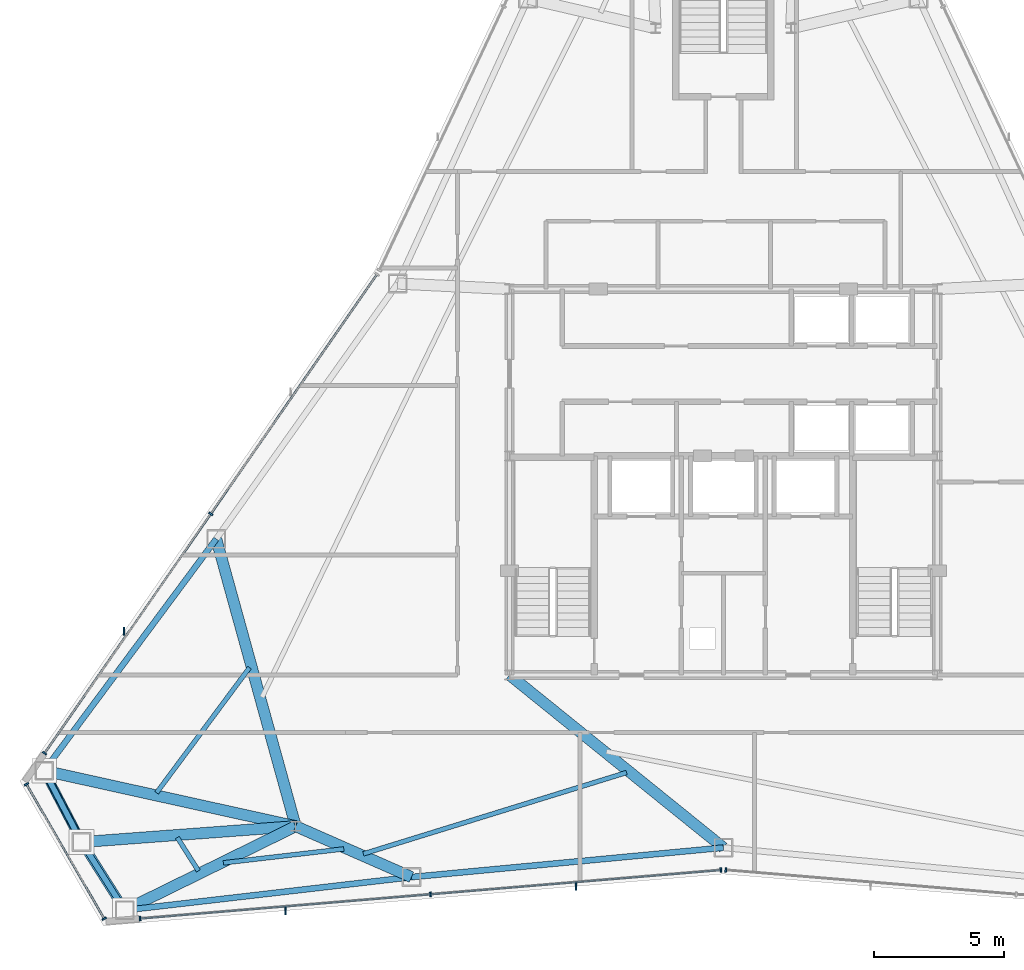
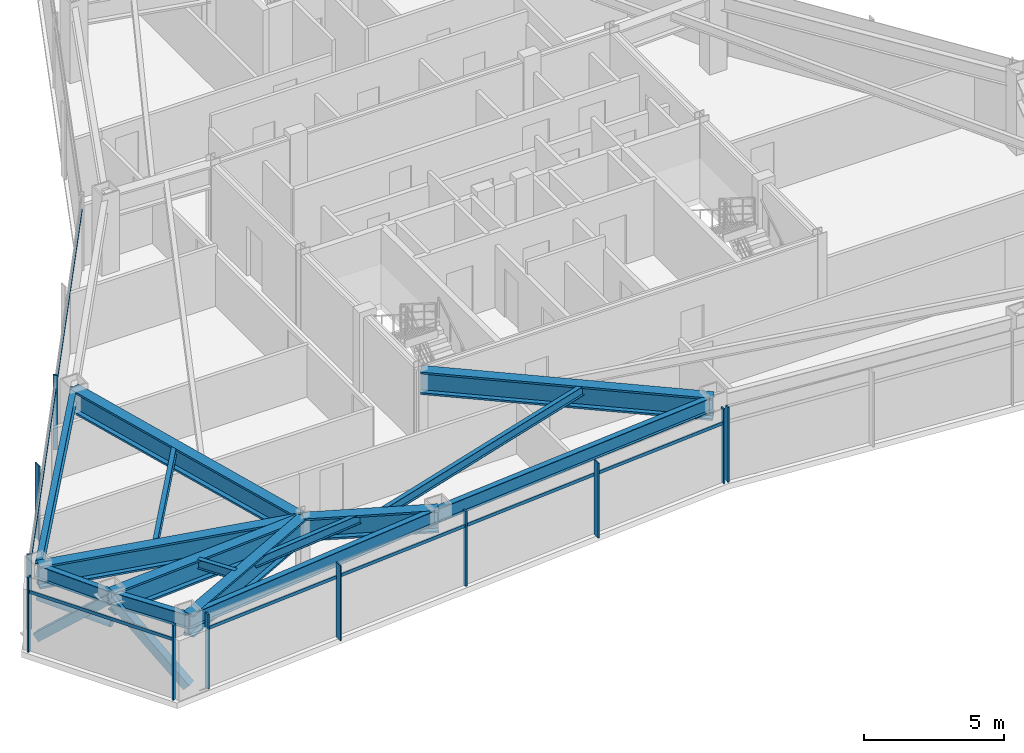
# One storey, part 3 of 12: 17 members, 15 beams, 4 elements without a shape of their own.
"""IFC4 building model written with IfcOpenShell, lengths in metres."""

from ifc_helpers import new_model, si_unit, direction, frame, origin, origin_2d, place, context, subcontext, project, spatial, rectangle, hollow_rectangle, hollow_circle, i_section, extrude, source, transform, mapped, material, layer, layer_set, material_profile, profile_set, type_object, type_shapes, element, aggregate, save


model = new_model("IFC4")

# Units and contexts
model_context = context("Model", 3, precision=1e-05, world=origin(), true_north=direction((0.0, 1.0)))
body_context = subcontext(model_context, "Body", "Model", "MODEL_VIEW")
ifc_project = project(units=[si_unit("LENGTHUNIT", "METRE"), si_unit("AREAUNIT", "SQUARE_METRE"), si_unit("VOLUMEUNIT", "CUBIC_METRE"), si_unit("PLANEANGLEUNIT", "RADIAN"), si_unit("MASSUNIT", "GRAM", prefix="KILO")], contexts=[model_context])

# Site, building, storey
site_placement = place(None, origin())
site = spatial("IfcSite", under=ifc_project, at=site_placement, CompositionType="ELEMENT")
building_placement = place(site_placement, origin())
building = spatial("IfcBuilding", under=site, at=building_placement, Name="Varakhsha Concourse Tower", CompositionType="ELEMENT")
storey_placement = place(building_placement, frame((0.0, 0.0, 232.89990234375)))
storey = spatial("IfcBuildingStorey", under=building, at=storey_placement, Name="L66", CompositionType="ELEMENT", Elevation=232.89990234375)

# Beams
ifc_material_1 = material(Name="Structural Steel ASTM A992 Grade 50", Category="steel")
ifc_material_profile_1 = material_profile(ifc_material_1, i_section(OverallWidth=0.177978515625, OverallDepth=0.406982421875, WebThickness=0.008056640625, FlangeThickness=0.012939453125, at=origin_2d()), Name="W16X40")
ifc_profile_set_1 = profile_set([ifc_material_profile_1], Name="Structural Steel ASTM A992 Grade 50")
beam_type_1 = type_object("IfcBeamType", Name="BM-JST-W16X40", PredefinedType="JOIST", material=ifc_profile_set_1)
beam_1_placement = place(storey_placement, frame((21.828369140625, 16.681640625, 3.046630859375), z_axis=(-0.596164609107, -0.802862229058, 0.0), x_axis=(0.802862229058, -0.596164609107, 0.0)))
element("IfcBeam", 1, at=beam_1_placement, inside=storey, type_object=beam_type_1, Name="BM-TJST-L66-06", PredefinedType="JOIST", context=body_context, shape_type="SweptSolid", body=[
    extrude(i_section(OverallWidth=0.177978515625, OverallDepth=0.406982421875, WebThickness=0.008056640625, FlangeThickness=0.012939453125, at=origin_2d()), origin(), (0.0, 0.0, 1.0), 5.97900390625),
])
beam_2_placement = place(storey_placement, frame((19.06103515625, 10.166259765625, 3.046630859375), z_axis=(0.534909949708, -0.844909075406, 0.0), x_axis=(0.844909075406, 0.534909949708, 0.0)))
element("IfcBeam", 2, at=beam_2_placement, inside=storey, type_object=beam_type_1, Name="BM-TJST-L66-08", PredefinedType="JOIST", context=body_context, shape_type="SweptSolid", body=[
    extrude(i_section(OverallWidth=0.177978515625, OverallDepth=0.406982421875, WebThickness=0.008056640625, FlangeThickness=0.012939453125, at=origin_2d()), origin(), (0.0, 0.0, 1.0), 1.51220703125),
])
beam_3_placement = place(storey_placement, frame((20.82470703125, 9.195068359375, 3.046630859375), z_axis=(0.993381548351, 0.114861217978, 0.0), x_axis=(-0.114861217978, 0.993381548351, 0.0)))
element("IfcBeam", 3, at=beam_3_placement, inside=storey, type_object=beam_type_1, Name="BM-TJST-L66-09", PredefinedType="JOIST", context=body_context, shape_type="SweptSolid", body=[
    extrude(i_section(OverallWidth=0.177978515625, OverallDepth=0.406982421875, WebThickness=0.008056640625, FlangeThickness=0.012939453125, at=origin_2d()), origin(), (0.0, 0.0, 1.0), 4.650634765625),
])
beam_4_placement = place(storey_placement, frame((26.19189453125, 9.540283203125, 3.046630859375), z_axis=(0.955439141439, 0.295188155261, 0.0), x_axis=(-0.295188155261, 0.955439141439, 0.0)))
element("IfcBeam", 4, at=beam_4_placement, inside=storey, type_object=beam_type_1, Name="BM-TJST-L66-10", PredefinedType="JOIST", context=body_context, shape_type="SweptSolid", body=[
    extrude(i_section(OverallWidth=0.177978515625, OverallDepth=0.406982421875, WebThickness=0.008056640625, FlangeThickness=0.012939453125, at=origin_2d()), origin(), (0.0, 0.0, 1.0), 10.565673828125),
])
ifc_material_profile_2 = material_profile(ifc_material_1, i_section(OverallWidth=0.22900390625, OverallDepth=0.612060546875, WebThickness=0.011962890625, FlangeThickness=0.02001953125, at=origin_2d()), Name="W24X84")
ifc_profile_set_2 = profile_set([ifc_material_profile_2], Name="Structural Steel ASTM A992 Grade 50")
beam_type_2 = type_object("IfcBeamType", Name="BM-SPAN-W24X84", PredefinedType="SPANDREL", material=ifc_profile_set_2)
beam_5_placement = place(storey_placement, frame((20.553466796875, 21.617919921875, 2.944091796875), z_axis=(-0.596178624109, -0.802851822042, 0.0), x_axis=(0.802851822042, -0.596178624109, 0.0)))
element("IfcBeam", 5, at=beam_5_placement, inside=storey, type_object=beam_type_2, Name="BM-SPAN-L66-06", PredefinedType="SPANDREL", context=body_context, shape_type="SweptSolid", body=[
    extrude(i_section(OverallWidth=0.22900390625, OverallDepth=0.612060546875, WebThickness=0.011962890625, FlangeThickness=0.02001953125, at=origin_2d()), origin(), (0.0, 0.0, 1.0), 11.06982421875),
])
beam_6_placement = place(storey_placement, frame((13.953857421875, 12.73046875, 2.944091796875), z_axis=(0.46430782769, -0.88567389097, 0.0), x_axis=(0.88567389097, 0.46430782769, 0.0)))
element("IfcBeam", 6, at=beam_6_placement, inside=storey, type_object=beam_type_2, Name="BM-SPAN-L66-07", PredefinedType="SPANDREL", context=body_context, shape_type="SweptSolid", body=[
    extrude(i_section(OverallWidth=0.22900390625, OverallDepth=0.612060546875, WebThickness=0.011962890625, FlangeThickness=0.02001953125, at=origin_2d()), origin(), (0.0, 0.0, 1.0), 3.0927734375),
])
beam_7_placement = place(storey_placement, frame((15.389892578125, 9.9912109375, 2.944091796875), z_axis=(0.534851104232, -0.844946327468, 0.0), x_axis=(0.844946327468, 0.534851104232, 0.0)))
element("IfcBeam", 7, at=beam_7_placement, inside=storey, type_object=beam_type_2, Name="BM-SPAN-L66-08", PredefinedType="SPANDREL", context=body_context, shape_type="SweptSolid", body=[
    extrude(i_section(OverallWidth=0.22900390625, OverallDepth=0.612060546875, WebThickness=0.011962890625, FlangeThickness=0.02001953125, at=origin_2d()), origin(), (0.0, 0.0, 1.0), 3.092529296875),
])
beam_8_placement = place(storey_placement, frame((17.0439453125, 7.378173828125, 2.944091796875), z_axis=(0.993379152974, 0.114881932593, 0.0), x_axis=(-0.114881932593, 0.993379152974, 0.0)))
element("IfcBeam", 8, at=beam_8_placement, inside=storey, type_object=beam_type_2, Name="BM-SPAN-L66-09", PredefinedType="SPANDREL", context=body_context, shape_type="SweptSolid", body=[
    extrude(i_section(OverallWidth=0.22900390625, OverallDepth=0.612060546875, WebThickness=0.011962890625, FlangeThickness=0.02001953125, at=origin_2d()), origin(), (0.0, 0.0, 1.0), 11.06982421875),
])
beam_9_placement = place(storey_placement, frame((28.04052734375, 8.64990234375, 2.944091796875), z_axis=(0.995582012356, 0.09389598859, 0.0), x_axis=(-0.09389598859, 0.995582012356, 0.0)))
element("IfcBeam", 9, at=beam_9_placement, inside=storey, type_object=beam_type_2, Name="BM-SPAN-L66-10", PredefinedType="SPANDREL", context=body_context, shape_type="SweptSolid", body=[
    extrude(i_section(OverallWidth=0.22900390625, OverallDepth=0.612060546875, WebThickness=0.011962890625, FlangeThickness=0.02001953125, at=origin_2d()), origin(), (0.0, 0.0, 1.0), 12.012451171875),
])
ifc_material_profile_3 = material_profile(ifc_material_1, i_section(OverallWidth=0.427978515625, OverallDepth=0.97509765625, WebThickness=0.050048828125, FlangeThickness=0.0810546875, at=origin_2d()), Name="W36X395")
ifc_profile_set_3 = profile_set([ifc_material_profile_3], Name="Structural Steel ASTM A992 Grade 50")
beam_type_3 = type_object("IfcBeamType", Name="BM-XFER-W36X395", PredefinedType="USERDEFINED", material=ifc_profile_set_3)
beam_10_placement = place(storey_placement, frame((23.60009765625, 10.60009765625, 2.7626953125), z_axis=(-0.266516826979, 0.963830265626, 0.0), x_axis=(-0.963830265626, -0.266516826979, 0.0)))
element("IfcBeam", 10, at=beam_10_placement, inside=storey, type_object=beam_type_3, Name="L66 Radial Floor Girder 06", ObjectType="GIRDER", PredefinedType="USERDEFINED", context=body_context, shape_type="SweptSolid", body=[
    extrude(i_section(OverallWidth=0.427978515625, OverallDepth=0.97509765625, WebThickness=0.050048828125, FlangeThickness=0.0810546875, at=origin_2d()), origin(), (0.0, 0.0, 1.0), 11.431396484375),
])
beam_11_placement = place(storey_placement, frame((23.60009765625, 10.60009765625, 2.7626953125), z_axis=(-0.976469998414, 0.215653291644, 0.0), x_axis=(-0.215653291644, -0.976469998414, 0.0)))
element("IfcBeam", 11, at=beam_11_placement, inside=storey, type_object=beam_type_3, Name="L66 Radial Floor Girder 07", ObjectType="GIRDER", PredefinedType="USERDEFINED", context=body_context, shape_type="SweptSolid", body=[
    extrude(i_section(OverallWidth=0.427978515625, OverallDepth=0.97509765625, WebThickness=0.050048828125, FlangeThickness=0.0810546875, at=origin_2d()), origin(), (0.0, 0.0, 1.0), 9.878662109375),
])
beam_12_placement = place(storey_placement, frame((23.60009765625, 10.60009765625, 2.7626953125), z_axis=(-0.997261277547, -0.073959071819, 0.0), x_axis=(0.073959071819, -0.997261277547, 0.0)))
element("IfcBeam", 12, at=beam_12_placement, inside=storey, type_object=beam_type_3, Name="L66 Radial Floor Girder 08", ObjectType="GIRDER", PredefinedType="USERDEFINED", context=body_context, shape_type="SweptSolid", body=[
    extrude(i_section(OverallWidth=0.427978515625, OverallDepth=0.97509765625, WebThickness=0.050048828125, FlangeThickness=0.0810546875, at=origin_2d()), origin(), (0.0, 0.0, 1.0), 8.232666015625),
])
beam_13_placement = place(storey_placement, frame((23.60009765625, 10.60009765625, 2.7626953125), z_axis=(-0.897480760127, -0.441053608081, 0.0), x_axis=(0.441053608081, -0.897480760127, 0.0)))
element("IfcBeam", 13, at=beam_13_placement, inside=storey, type_object=beam_type_3, Name="L66 Radial Floor Girder 09", ObjectType="GIRDER", PredefinedType="USERDEFINED", context=body_context, shape_type="SweptSolid", body=[
    extrude(i_section(OverallWidth=0.427978515625, OverallDepth=0.97509765625, WebThickness=0.050048828125, FlangeThickness=0.0810546875, at=origin_2d()), origin(), (0.0, 0.0, 1.0), 7.30517578125),
])
beam_14_placement = place(storey_placement, frame((23.60009765625, 10.60009765625, 2.7626953125), z_axis=(0.915587981704, -0.402117703862, 0.0), x_axis=(0.402117703862, 0.915587981704, 0.0)))
element("IfcBeam", 14, at=beam_14_placement, inside=storey, type_object=beam_type_3, Name="L66 Radial Floor Girder 10", ObjectType="GIRDER", PredefinedType="USERDEFINED", context=body_context, shape_type="SweptSolid", body=[
    extrude(i_section(OverallWidth=0.427978515625, OverallDepth=0.97509765625, WebThickness=0.050048828125, FlangeThickness=0.0810546875, at=origin_2d()), origin(), (0.0, 0.0, 1.0), 4.849853515625),
])
beam_15_placement = place(storey_placement, frame((31.800048828125, 16.39990234375, 2.7626953125), z_axis=(0.777986032506, -0.628281571611, 0.0), x_axis=(0.628281571611, 0.777986032506, 0.0)))
element("IfcBeam", 15, at=beam_15_placement, inside=storey, type_object=beam_type_3, Name="L66 Radial Floor Girder 11", ObjectType="GIRDER", PredefinedType="USERDEFINED", context=body_context, shape_type="SweptSolid", body=[
    extrude(i_section(OverallWidth=0.427978515625, OverallDepth=0.97509765625, WebThickness=0.050048828125, FlangeThickness=0.0810546875, at=origin_2d()), origin(), (0.0, 0.0, 1.0), 10.5400390625),
])

# Members
ifc_material_2 = material(Name="Structural Steel ASTM A500 Grade C", Category="steel")
ifc_material_profile_4 = material_profile(ifc_material_2, hollow_rectangle(XDim=0.35009765625, YDim=0.35009765625, WallThickness=0.01611328125, at=origin_2d()), Name="HSS 350x350x16")
ifc_profile_set_4 = profile_set([ifc_material_profile_4], Name="Structural Steel ASTM A500 Grade C")
member_type_1 = type_object("IfcMemberType", Name="MB-TUBE-HSS350", PredefinedType="BRACE", material=ifc_profile_set_4)
shared_shape_1 = source(origin(), body_context, "Body", "SweptSolid", [
    extrude(hollow_rectangle(XDim=0.35009765625, YDim=0.35009765625, WallThickness=0.01611328125, at=origin_2d()), origin(), (0.0, 0.0, 1.0), 4.192138671875),
])
member_1_placement = place(storey_placement, frame((17.0439453125, 7.378173828125, 0.1201171875), z_axis=(-0.394569925979, 0.623333124392, 0.675107687372), x_axis=(-0.844946327468, -0.534851104232, 0.0)))
element("IfcMember", 16, at=member_1_placement, inside=storey, type_object=member_type_1, Name="L66 Wind-Corner Tube Brace B04", PredefinedType="BRACE", context=body_context, shape_type="MappedRepresentation", body=[
    mapped(shared_shape_1, transform((0.0, 0.0, 0.0), scale=1.0)),
])
shared_shape_2 = source(origin(), body_context, "Body", "SweptSolid", [
    extrude(hollow_rectangle(XDim=0.35009765625, YDim=0.35009765625, WallThickness=0.01611328125, at=origin_2d()), origin(), (0.0, 0.0, 1.0), 4.1923828125),
])
type_shapes(member_type_1, [shared_shape_1, shared_shape_2])
member_2_placement = place(storey_placement, frame((13.953857421875, 12.73046875, 0.1201171875), z_axis=(0.342544113921, -0.653407847364, 0.675071636955), x_axis=(0.88567389097, 0.46430782769, 0.0)))
element("IfcMember", 17, at=member_2_placement, inside=storey, type_object=member_type_1, Name="L66 Wind-Corner Tube Brace B03", PredefinedType="BRACE", context=body_context, shape_type="MappedRepresentation", body=[
    mapped(shared_shape_2, transform((0.0, 0.0, 0.0), scale=1.0)),
])
ifc_material_profile_5 = material_profile(ifc_material_2, hollow_circle(Radius=0.136474609375, WallThickness=0.011962890625, at=origin_2d()), Name="CHS 273x12")
ifc_profile_set_5 = profile_set([ifc_material_profile_5], Name="Structural Steel ASTM A500 Grade C")
member_type_2 = type_object("IfcMemberType", Name="MB-WIND-CHS273", PredefinedType="COLLAR", material=ifc_profile_set_5)
shared_shape_3 = source(origin(), body_context, "Body", "SweptSolid", [
    extrude(hollow_circle(Radius=0.136474609375, WallThickness=0.011962890625, at=origin_2d()), origin(), (0.0, 0.0, 1.0), 3.0927734375),
])
type_shapes(member_type_2, [shared_shape_3])
member_3_placement = place(storey_placement, frame((13.953857421875, 12.73046875, 1.800048828125), z_axis=(0.46430782769, -0.88567389097, 0.0), x_axis=(0.88567389097, 0.46430782769, 0.0)))
element("IfcMember", 18, at=member_3_placement, inside=storey, type_object=member_type_2, Name="L66 Wind-Corner Collar Tie 2", PredefinedType="COLLAR", context=body_context, shape_type="MappedRepresentation", body=[
    mapped(shared_shape_3, transform((0.0, 0.0, 0.0), scale=1.0)),
])

# Curtain wall, members
ifc_material_3 = material(Name="Anodised Bronze Architectural Aluminium AA 6063-T6", Category="aluminium")
ifc_layer = layer(ifc_material_3, 0.199951171875, Name="CW-SYS-05")
ifc_layer_set = layer_set([ifc_layer], Name="Anodised Bronze Architectural Aluminium AA 6063-T6")
curtain_wall_type = type_object("IfcCurtainWallType", Name="CW-SYS-05", PredefinedType="NOTDEFINED", material=ifc_layer_set)
curtain_wall_1_placement = place(storey_placement, origin())
curtain_wall_1 = element("IfcCurtainWall", 19, at=curtain_wall_1_placement, inside=storey, type_object=curtain_wall_type, Name="L66 Crystal Curtain Wall F3", PredefinedType="NOTDEFINED")
ifc_material_profile_6 = material_profile(ifc_material_3, rectangle(XDim=0.06494140625, YDim=0.179931640625, at=origin_2d()), Name="CWM-180X65")
ifc_profile_set_6 = profile_set([ifc_material_profile_6], Name="Anodised Bronze Architectural Aluminium AA 6063-T6")
member_type_3 = type_object("IfcMemberType", Name="CWM-180X65", PredefinedType="MULLION", material=ifc_profile_set_6)
shared_shape_4 = source(origin(), body_context, "Body", "SweptSolid", [
    extrude(rectangle(XDim=0.06494140625, YDim=0.179931640625, at=origin_2d()), origin(), (0.0, 0.0, 1.0), 3.25),
])
type_shapes(member_type_3, [shared_shape_4])
member_4_placement = place(storey_placement, frame((13.968994140625, 13.397705078125, 0.0), z_axis=(0.0, 0.0, 1.0), x_axis=(0.570360953861, 0.821394169879, 0.0)))
member_4 = element("IfcMember", 20, at=member_4_placement, type_object=member_type_3, Name="CW-L66-F3 Mullion 00", PredefinedType="MULLION", context=body_context, shape_type="MappedRepresentation", body=[
    mapped(shared_shape_4, transform((0.0, 0.0, 0.0), scale=1.0)),
])
member_5_placement = place(storey_placement, frame((20.34423828125, 22.578857421875, 0.0), z_axis=(0.0, 0.0, 1.0), x_axis=(0.570360953861, 0.821394169879, 0.0)))
member_5 = element("IfcMember", 21, at=member_5_placement, type_object=member_type_3, Name="CW-L66-F3 Mullion 01", PredefinedType="MULLION", context=body_context, shape_type="MappedRepresentation", body=[
    mapped(shared_shape_4, transform((0.0, 0.0, 0.0), scale=1.0)),
])

curtain_wall_2_placement = place(storey_placement, origin())
curtain_wall_2 = element("IfcCurtainWall", 22, at=curtain_wall_2_placement, inside=storey, type_object=curtain_wall_type, Name="L66 Chamfer Curtain Wall F4", PredefinedType="NOTDEFINED")
member_6_placement = place(storey_placement, frame((16.25634765625, 7.050537109375, 0.0), z_axis=(0.0, 0.0, 1.0), x_axis=(-0.49999395399, 0.866028894422, 0.0)))
member_6 = element("IfcMember", 23, at=member_6_placement, type_object=member_type_3, Name="CW-L66-F4 Mullion 00", PredefinedType="MULLION", context=body_context, shape_type="MappedRepresentation", body=[
    mapped(shared_shape_4, transform((0.0, 0.0, 0.0), scale=1.0)),
])
member_7_placement = place(storey_placement, frame((13.2763671875, 12.212158203125, 0.0), z_axis=(0.0, 0.0, 1.0), x_axis=(-0.49999395399, 0.866028894422, 0.0)))
member_7 = element("IfcMember", 24, at=member_7_placement, type_object=member_type_3, Name="CW-L66-F4 Mullion 01", PredefinedType="MULLION", context=body_context, shape_type="MappedRepresentation", body=[
    mapped(shared_shape_4, transform((0.0, 0.0, 0.0), scale=1.0)),
])

curtain_wall_3_placement = place(storey_placement, origin())
curtain_wall_3 = element("IfcCurtainWall", 25, at=curtain_wall_3_placement, inside=storey, type_object=curtain_wall_type, Name="L66 Crystal Curtain Wall F5", PredefinedType="NOTDEFINED")
member_8_placement = place(storey_placement, frame((39.906982421875, 8.918701171875, 0.0), z_axis=(0.0, 0.0, 1.0), x_axis=(-0.996528985157, -0.083246511889, 0.0)))
member_8 = element("IfcMember", 26, at=member_8_placement, type_object=member_type_3, Name="CW-L66-F5 Mullion 00", PredefinedType="MULLION", context=body_context, shape_type="MappedRepresentation", body=[
    mapped(shared_shape_4, transform((0.0, 0.0, 0.0), scale=1.0)),
])
member_9_placement = place(storey_placement, frame((28.768310546875, 7.98828125, 0.0), z_axis=(0.0, 0.0, 1.0), x_axis=(-0.996528985157, -0.083246511889, 0.0)))
member_9 = element("IfcMember", 27, at=member_9_placement, type_object=member_type_3, Name="CW-L66-F5 Mullion 01", PredefinedType="MULLION", context=body_context, shape_type="MappedRepresentation", body=[
    mapped(shared_shape_4, transform((0.0, 0.0, 0.0), scale=1.0)),
])
member_10_placement = place(storey_placement, frame((17.62939453125, 7.0576171875, 0.0), z_axis=(0.0, 0.0, 1.0), x_axis=(-0.996528985157, -0.083246511889, 0.0)))
member_10 = element("IfcMember", 28, at=member_10_placement, type_object=member_type_3, Name="CW-L66-F5 Mullion 02", PredefinedType="MULLION", context=body_context, shape_type="MappedRepresentation", body=[
    mapped(shared_shape_4, transform((0.0, 0.0, 0.0), scale=1.0)),
])

# Curtain wall, member
curtain_wall_4_placement = place(storey_placement, origin())
curtain_wall_4 = element("IfcCurtainWall", 29, at=curtain_wall_4_placement, inside=storey, type_object=curtain_wall_type, Name="L66 Crystal Curtain Wall F6", PredefinedType="NOTDEFINED")
member_11_placement = place(storey_placement, frame((40.093017578125, 8.918701171875, 0.0), z_axis=(0.0, 0.0, 1.0), x_axis=(-0.996528985157, 0.083246511889, 0.0)))
member_11 = element("IfcMember", 30, at=member_11_placement, type_object=member_type_3, Name="CW-L66-F6 Mullion 02", PredefinedType="MULLION", context=body_context, shape_type="MappedRepresentation", body=[
    mapped(shared_shape_4, transform((0.0, 0.0, 0.0), scale=1.0)),
])
aggregate(curtain_wall_4, [member_11])

# Member
ifc_material_profile_7 = material_profile(ifc_material_3, rectangle(XDim=0.054931640625, YDim=0.300048828125, at=origin_2d()), Name="FIN-BRZ-300")
ifc_profile_set_7 = profile_set([ifc_material_profile_7], Name="Anodised Bronze Architectural Aluminium AA 6063-T6")
member_type_4 = type_object("IfcMemberType", Name="FIN-BRZ-300", PredefinedType="USERDEFINED", material=ifc_profile_set_7)
shared_shape_5 = source(origin(), body_context, "Body", "SweptSolid", [
    extrude(rectangle(XDim=0.054931640625, YDim=0.300048828125, at=origin_2d()), origin(), (0.0, 0.0, 1.0), 3.25),
])
type_shapes(member_type_4, [shared_shape_5])
member_12_placement = place(storey_placement, frame((17.02099609375, 18.08251953125, 0.0), z_axis=(0.0, 0.0, 1.0), x_axis=(1.0, 0.0, 0.0)))
member_12 = element("IfcMember", 31, at=member_12_placement, type_object=member_type_4, Name="L66 Anodised Bronze Solar Fin F3-1", ObjectType="SOLAR FIN", PredefinedType="USERDEFINED", context=body_context, shape_type="MappedRepresentation", body=[
    mapped(shared_shape_5, transform((0.0, 0.0, 0.0), scale=1.0)),
])

member_13_placement = place(storey_placement, frame((34.351318359375, 8.2890625, 0.0), z_axis=(0.0, 0.0, 1.0), x_axis=(1.0, 0.0, 0.0)))
member_13 = element("IfcMember", 32, at=member_13_placement, type_object=member_type_4, Name="L66 Anodised Bronze Solar Fin F5-1", ObjectType="SOLAR FIN", PredefinedType="USERDEFINED", context=body_context, shape_type="MappedRepresentation", body=[
    mapped(shared_shape_5, transform((0.0, 0.0, 0.0), scale=1.0)),
])

member_14_placement = place(storey_placement, frame((23.21240234375, 7.3583984375, 0.0), z_axis=(0.0, 0.0, 1.0), x_axis=(1.0, 0.0, 0.0)))
member_14 = element("IfcMember", 33, at=member_14_placement, type_object=member_type_4, Name="L66 Anodised Bronze Solar Fin F5-2", ObjectType="SOLAR FIN", PredefinedType="USERDEFINED", context=body_context, shape_type="MappedRepresentation", body=[
    mapped(shared_shape_5, transform((0.0, 0.0, 0.0), scale=1.0)),
])

ifc_material_profile_8 = material_profile(ifc_material_3, rectangle(XDim=0.06005859375, YDim=0.139892578125, at=origin_2d()), Name="CWT-140X60")
ifc_profile_set_8 = profile_set([ifc_material_profile_8], Name="Anodised Bronze Architectural Aluminium AA 6063-T6")
member_type_5 = type_object("IfcMemberType", Name="CWT-140X60", PredefinedType="USERDEFINED", material=ifc_profile_set_8)
shared_shape_6 = source(origin(), body_context, "Body", "SweptSolid", [
    extrude(rectangle(XDim=0.06005859375, YDim=0.139892578125, at=origin_2d()), origin(), (0.0, 0.0, 1.0), 22.35498046875),
])
member_15_placement = place(storey_placement, frame((13.968994140625, 13.397705078125, 2.60009765625), z_axis=(0.570362244302, 0.821393273819, 0.0), x_axis=(-0.821393273819, 0.570362244302, 0.0)))
member_15 = element("IfcMember", 34, at=member_15_placement, type_object=member_type_5, Name="CW-L66-F3 Transom 01", ObjectType="TRANSOM", PredefinedType="USERDEFINED", context=body_context, shape_type="MappedRepresentation", body=[
    mapped(shared_shape_6, transform((0.0, 0.0, 0.0), scale=1.0)),
])

aggregate(curtain_wall_1, [member_4, member_5, member_15, member_12])

shared_shape_7 = source(origin(), body_context, "Body", "SweptSolid", [
    extrude(rectangle(XDim=0.06005859375, YDim=0.139892578125, at=origin_2d()), origin(), (0.0, 0.0, 1.0), 22.355224609375),
])
member_16_placement = place(storey_placement, frame((39.906982421875, 8.918701171875, 2.60009765625), z_axis=(-0.996528640141, -0.083250641912, 0.0), x_axis=(0.083250641912, -0.996528640141, 0.0)))
member_16 = element("IfcMember", 35, at=member_16_placement, type_object=member_type_5, Name="CW-L66-F5 Transom 01", ObjectType="TRANSOM", PredefinedType="USERDEFINED", context=body_context, shape_type="MappedRepresentation", body=[
    mapped(shared_shape_7, transform((0.0, 0.0, 0.0), scale=1.0)),
])

aggregate(curtain_wall_3, [member_8, member_9, member_10, member_16, member_13, member_14])

shared_shape_8 = source(origin(), body_context, "Body", "SweptSolid", [
    extrude(rectangle(XDim=0.06005859375, YDim=0.139892578125, at=origin_2d()), origin(), (0.0, 0.0, 1.0), 5.960205078125),
])
type_shapes(member_type_5, [shared_shape_6, shared_shape_7, shared_shape_8])
member_17_placement = place(storey_placement, frame((16.25634765625, 7.050537109375, 2.60009765625), z_axis=(-0.499989573202, 0.866031423615, 0.0), x_axis=(-0.866031423615, -0.499989573202, 0.0)))
member_17 = element("IfcMember", 36, at=member_17_placement, type_object=member_type_5, Name="CW-L66-F4 Transom 01", ObjectType="TRANSOM", PredefinedType="USERDEFINED", context=body_context, shape_type="MappedRepresentation", body=[
    mapped(shared_shape_8, transform((0.0, 0.0, 0.0), scale=1.0)),
])

aggregate(curtain_wall_2, [member_6, member_7, member_17])

save(model, "model.ifc")
